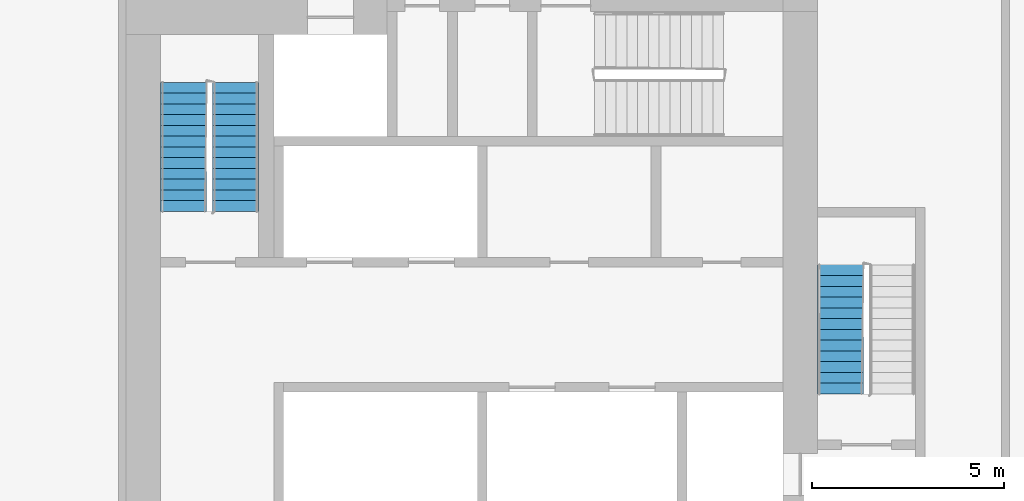
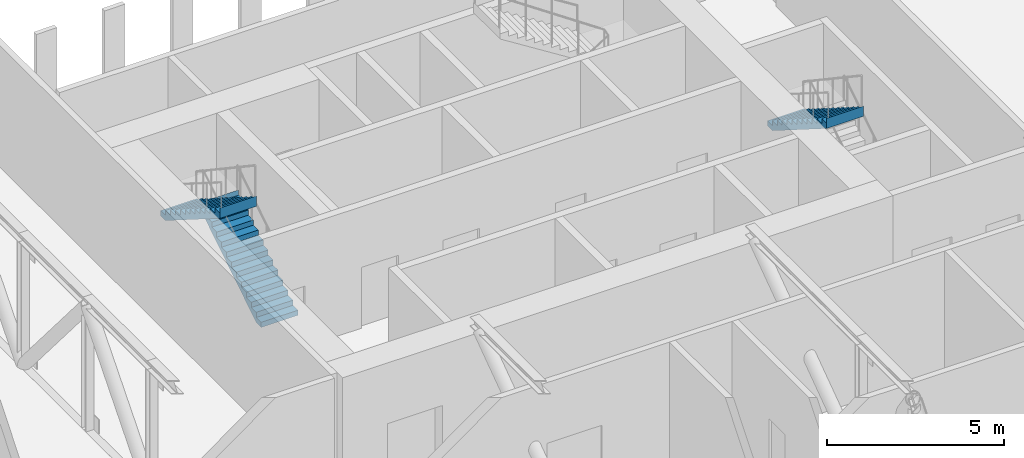
# One storey, part 23 of 26: 3 stair flights, 2 elements without a shape of their own.
"""IFC4 building model written with IfcOpenShell, lengths in metres."""

from ifc_helpers import new_model, si_unit, direction, frame, origin, place, context, subcontext, project, spatial, faceted_brep, material, type_object, element, aggregate, save


model = new_model("IFC4")

# Units and contexts
model_context = context("Model", 3, precision=1e-05, world=origin(), true_north=direction((0.0, 1.0)))
body_context = subcontext(model_context, "Body", "Model", "MODEL_VIEW")
ifc_project = project(units=[si_unit("LENGTHUNIT", "METRE"), si_unit("AREAUNIT", "SQUARE_METRE"), si_unit("VOLUMEUNIT", "CUBIC_METRE"), si_unit("PLANEANGLEUNIT", "RADIAN"), si_unit("MASSUNIT", "GRAM", prefix="KILO")], contexts=[model_context])

# Site, building, storey
site_placement = place(None, origin())
site = spatial("IfcSite", under=ifc_project, at=site_placement, CompositionType="ELEMENT")
building_placement = place(site_placement, origin())
building = spatial("IfcBuilding", under=site, at=building_placement, Name="Kajstack Hotel Tower", CompositionType="ELEMENT")
storey_placement = place(building_placement, frame((0.0, 0.0, 257.300048828125)))
storey = spatial("IfcBuildingStorey", under=building, at=storey_placement, Name="L64", CompositionType="ELEMENT", Elevation=257.300048828125)

# Stair, stair flight
ifc_material = material(Name="Concrete C40/50", Category="concrete")
stair_type = type_object("IfcStairType", Name="Exit stair 1200", PredefinedType="HALF_TURN_STAIR", material=ifc_material)
stair_1_placement = place(storey_placement, origin())
stair_1 = element("IfcStair", 1, at=stair_1_placement, inside=storey, type_object=stair_type, Name="L64 stair E1", PredefinedType="HALF_TURN_STAIR")
stair_flight_type = type_object("IfcStairFlightType", Name="Exit stair flight 1200", PredefinedType="STRAIGHT", material=ifc_material)
stair_flight_1_placement = place(storey_placement, frame((32.10009765625, 8.610107421875, 2.300048828125), z_axis=(0.0, 0.0, 1.0), x_axis=(0.0, -1.0, 0.0)))
stair_flight_1 = element("IfcStairFlight", 2, at=stair_flight_1_placement, type_object=stair_flight_type, Name="E1 flight 2", NumberOfRisers=13, NumberOfTreads=12, PredefinedType="STRAIGHT", RiserHeight=0.176923077, TreadLength=0.28, context=body_context, shape_type="Brep", body=[
    faceted_brep([(0.281005859375, -0.60009765625, 0.0), (3.360595703125, -0.60009765625, 1.94580078125), (3.360595703125, -0.60009765625, 2.300048828125), (3.360107421875, -0.60009765625, 2.300048828125), (3.360107421875, -0.60009765625, 2.123046875), (3.080078125, -0.60009765625, 2.123046875), (3.080078125, -0.60009765625, 1.946044921875), (2.800048828125, -0.60009765625, 1.946044921875), (2.800048828125, -0.60009765625, 1.769287109375), (2.52001953125, -0.60009765625, 1.769287109375), (2.52001953125, -0.60009765625, 1.59228515625), (2.239990234375, -0.60009765625, 1.59228515625), (2.239990234375, -0.60009765625, 1.415283203125), (1.9599609375, -0.60009765625, 1.415283203125), (1.9599609375, -0.60009765625, 1.238525390625), (1.679931640625, -0.60009765625, 1.238525390625), (1.679931640625, -0.60009765625, 1.0615234375), (1.39990234375, -0.60009765625, 1.0615234375), (1.39990234375, -0.60009765625, 0.884521484375), (1.1201171875, -0.60009765625, 0.884521484375), (1.1201171875, -0.60009765625, 0.707763671875), (0.840087890625, -0.60009765625, 0.707763671875), (0.840087890625, -0.60009765625, 0.53076171875), (0.56005859375, -0.60009765625, 0.53076171875), (0.56005859375, -0.60009765625, 0.353759765625), (0.280029296875, -0.60009765625, 0.353759765625), (0.280029296875, -0.60009765625, 0.177001953125), (-0.00048828125, -0.60009765625, 0.177001953125), (-0.00048828125, -0.60009765625, 0.0), (-0.00048828125, 0.60009765625, 0.0), (-0.00048828125, 0.60009765625, 0.177001953125), (0.280029296875, 0.60009765625, 0.177001953125), (0.280029296875, 0.60009765625, 0.353759765625), (0.56005859375, 0.60009765625, 0.353759765625), (0.56005859375, 0.60009765625, 0.53076171875), (0.840087890625, 0.60009765625, 0.53076171875), (0.840087890625, 0.60009765625, 0.707763671875), (1.1201171875, 0.60009765625, 0.707763671875), (1.1201171875, 0.60009765625, 0.884521484375), (1.39990234375, 0.60009765625, 0.884521484375), (1.39990234375, 0.60009765625, 1.0615234375), (1.679931640625, 0.60009765625, 1.0615234375), (1.679931640625, 0.60009765625, 1.238525390625), (1.9599609375, 0.60009765625, 1.238525390625), (1.9599609375, 0.60009765625, 1.415283203125), (2.239990234375, 0.60009765625, 1.415283203125), (2.239990234375, 0.60009765625, 1.59228515625), (2.52001953125, 0.60009765625, 1.59228515625), (2.52001953125, 0.60009765625, 1.769287109375), (2.800048828125, 0.60009765625, 1.769287109375), (2.800048828125, 0.60009765625, 1.946044921875), (3.080078125, 0.60009765625, 1.946044921875), (3.080078125, 0.60009765625, 2.123046875), (3.360107421875, 0.60009765625, 2.123046875), (3.360107421875, 0.60009765625, 2.300048828125), (3.360595703125, 0.60009765625, 2.300048828125), (3.360595703125, 0.60009765625, 1.94580078125), (0.281005859375, 0.60009765625, 0.0), (-0.00048828125, -0.300048828125, 0.177001953125), (-0.00048828125, 0.0, 0.177001953125), (-0.00048828125, 0.300048828125, 0.177001953125), (-0.00048828125, 0.300048828125, 0.0), (-0.00048828125, 0.0, 0.0), (-0.00048828125, -0.300048828125, 0.0), (0.280029296875, -0.300048828125, 0.177001953125), (0.280029296875, 0.0, 0.177001953125), (0.280029296875, 0.300048828125, 0.177001953125), (0.280029296875, -0.300048828125, 0.353759765625), (0.280029296875, 0.0, 0.353759765625), (0.280029296875, 0.300048828125, 0.353759765625), (0.56005859375, -0.300048828125, 0.353759765625), (0.56005859375, 0.0, 0.353759765625), (0.56005859375, 0.300048828125, 0.353759765625), (0.56005859375, -0.300048828125, 0.53076171875), (0.56005859375, 0.0, 0.53076171875), (0.56005859375, 0.300048828125, 0.53076171875), (0.840087890625, -0.300048828125, 0.53076171875), (0.840087890625, 0.0, 0.53076171875), (0.840087890625, 0.300048828125, 0.53076171875), (0.840087890625, -0.300048828125, 0.707763671875), (0.840087890625, 0.0, 0.707763671875), (0.840087890625, 0.300048828125, 0.707763671875), (1.1201171875, -0.300048828125, 0.707763671875), (1.1201171875, 0.0, 0.707763671875), (1.1201171875, 0.300048828125, 0.707763671875), (1.1201171875, -0.300048828125, 0.884521484375), (1.1201171875, 0.0, 0.884521484375), (1.1201171875, 0.300048828125, 0.884521484375), (1.39990234375, -0.300048828125, 0.884521484375), (1.39990234375, 0.0, 0.884521484375), (1.39990234375, 0.300048828125, 0.884521484375), (1.39990234375, -0.300048828125, 1.0615234375), (1.39990234375, 0.0, 1.0615234375), (1.39990234375, 0.300048828125, 1.0615234375), (1.679931640625, -0.300048828125, 1.0615234375), (1.679931640625, 0.0, 1.0615234375), (1.679931640625, 0.300048828125, 1.0615234375), (1.679931640625, -0.300048828125, 1.238525390625), (1.679931640625, 0.0, 1.238525390625), (1.679931640625, 0.300048828125, 1.238525390625), (1.9599609375, -0.300048828125, 1.238525390625), (1.9599609375, 0.0, 1.238525390625), (1.9599609375, 0.300048828125, 1.238525390625), (1.9599609375, -0.300048828125, 1.415283203125), (1.9599609375, 0.0, 1.415283203125), (1.9599609375, 0.300048828125, 1.415283203125), (2.239990234375, -0.300048828125, 1.415283203125), (2.239990234375, 0.0, 1.415283203125), (2.239990234375, 0.300048828125, 1.415283203125), (2.239990234375, -0.300048828125, 1.59228515625), (2.239990234375, 0.0, 1.59228515625), (2.239990234375, 0.300048828125, 1.59228515625), (2.52001953125, -0.300048828125, 1.59228515625), (2.52001953125, 0.0, 1.59228515625), (2.52001953125, 0.300048828125, 1.59228515625), (2.52001953125, -0.300048828125, 1.769287109375), (2.52001953125, 0.0, 1.769287109375), (2.52001953125, 0.300048828125, 1.769287109375), (2.800048828125, -0.300048828125, 1.769287109375), (2.800048828125, 0.0, 1.769287109375), (2.800048828125, 0.300048828125, 1.769287109375), (2.800048828125, -0.300048828125, 1.946044921875), (2.800048828125, 0.0, 1.946044921875), (2.800048828125, 0.300048828125, 1.946044921875), (3.080078125, -0.300048828125, 1.946044921875), (3.080078125, 0.0, 1.946044921875), (3.080078125, 0.300048828125, 1.946044921875), (3.080078125, -0.300048828125, 2.123046875), (3.080078125, 0.0, 2.123046875), (3.080078125, 0.300048828125, 2.123046875), (3.360107421875, -0.300048828125, 2.123046875), (3.360107421875, 0.0, 2.123046875), (3.360107421875, 0.300048828125, 2.123046875), (3.360107421875, -0.300048828125, 2.300048828125), (3.360107421875, 0.0, 2.300048828125), (3.360107421875, 0.300048828125, 2.300048828125), (3.360595703125, -0.300048828125, 2.300048828125), (3.360595703125, 0.0, 2.300048828125), (3.360595703125, 0.300048828125, 2.300048828125), (3.360595703125, -0.300048828125, 1.94580078125), (3.360595703125, 0.0, 1.94580078125), (3.360595703125, 0.300048828125, 1.94580078125), (0.281005859375, -0.300048828125, 0.0), (0.281005859375, 0.0, 0.0), (0.281005859375, 0.300048828125, 0.0)], [[[0, 1, 2, 3, 4, 5, 6, 7, 8, 9, 10, 11, 12, 13, 14, 15, 16, 17, 18, 19, 20, 21, 22, 23, 24, 25, 26, 27, 28]], [[29, 30, 31, 32, 33, 34, 35, 36, 37, 38, 39, 40, 41, 42, 43, 44, 45, 46, 47, 48, 49, 50, 51, 52, 53, 54, 55, 56, 57]], [[27, 58, 59, 60, 30, 29, 61, 62, 63, 28]], [[26, 64, 65, 66, 31, 30, 60, 59, 58, 27]], [[25, 67, 68, 69, 32, 31, 66, 65, 64, 26]], [[24, 70, 71, 72, 33, 32, 69, 68, 67, 25]], [[23, 73, 74, 75, 34, 33, 72, 71, 70, 24]], [[22, 76, 77, 78, 35, 34, 75, 74, 73, 23]], [[21, 79, 80, 81, 36, 35, 78, 77, 76, 22]], [[20, 82, 83, 84, 37, 36, 81, 80, 79, 21]], [[19, 85, 86, 87, 38, 37, 84, 83, 82, 20]], [[18, 88, 89, 90, 39, 38, 87, 86, 85, 19]], [[17, 91, 92, 93, 40, 39, 90, 89, 88, 18]], [[16, 94, 95, 96, 41, 40, 93, 92, 91, 17]], [[15, 97, 98, 99, 42, 41, 96, 95, 94, 16]], [[14, 100, 101, 102, 43, 42, 99, 98, 97, 15]], [[13, 103, 104, 105, 44, 43, 102, 101, 100, 14]], [[12, 106, 107, 108, 45, 44, 105, 104, 103, 13]], [[11, 109, 110, 111, 46, 45, 108, 107, 106, 12]], [[10, 112, 113, 114, 47, 46, 111, 110, 109, 11]], [[9, 115, 116, 117, 48, 47, 114, 113, 112, 10]], [[8, 118, 119, 120, 49, 48, 117, 116, 115, 9]], [[7, 121, 122, 123, 50, 49, 120, 119, 118, 8]], [[6, 124, 125, 126, 51, 50, 123, 122, 121, 7]], [[5, 127, 128, 129, 52, 51, 126, 125, 124, 6]], [[4, 130, 131, 132, 53, 52, 129, 128, 127, 5]], [[3, 133, 134, 135, 54, 53, 132, 131, 130, 4]], [[2, 136, 137, 138, 55, 54, 135, 134, 133, 3]], [[1, 139, 140, 141, 56, 55, 138, 137, 136, 2]], [[0, 142, 143, 144, 57, 56, 141, 140, 139, 1]], [[28, 63, 62, 61, 29, 57, 144, 143, 142, 0]]]),
])
aggregate(stair_1, [stair_flight_1])

# Stair, stair flights
stair_2_placement = place(storey_placement, origin())
stair_2 = element("IfcStair", 3, at=stair_2_placement, inside=storey, type_object=stair_type, Name="L64 stair E2", PredefinedType="HALF_TURN_STAIR")
stair_flight_2_placement = place(storey_placement, frame((16.35009765625, 10.0, 0.0), z_axis=(0.0, 0.0, 1.0), x_axis=(0.0, 1.0, 0.0)))
stair_flight_2 = element("IfcStairFlight", 4, at=stair_flight_2_placement, type_object=stair_flight_type, Name="E2 flight 1", NumberOfRisers=13, NumberOfTreads=12, PredefinedType="STRAIGHT", RiserHeight=0.176923077, TreadLength=0.28, context=body_context, shape_type="Brep", body=[
    faceted_brep([(0.281005859375, -0.60009765625, 0.0), (3.360595703125, -0.60009765625, 1.94580078125), (3.360595703125, -0.60009765625, 2.300048828125), (3.360107421875, -0.60009765625, 2.300048828125), (3.360107421875, -0.60009765625, 2.123046875), (3.080078125, -0.60009765625, 2.123046875), (3.080078125, -0.60009765625, 1.946044921875), (2.800048828125, -0.60009765625, 1.946044921875), (2.800048828125, -0.60009765625, 1.769287109375), (2.52001953125, -0.60009765625, 1.769287109375), (2.52001953125, -0.60009765625, 1.59228515625), (2.239990234375, -0.60009765625, 1.59228515625), (2.239990234375, -0.60009765625, 1.415283203125), (1.9599609375, -0.60009765625, 1.415283203125), (1.9599609375, -0.60009765625, 1.238525390625), (1.679931640625, -0.60009765625, 1.238525390625), (1.679931640625, -0.60009765625, 1.0615234375), (1.39990234375, -0.60009765625, 1.0615234375), (1.39990234375, -0.60009765625, 0.884521484375), (1.1201171875, -0.60009765625, 0.884521484375), (1.1201171875, -0.60009765625, 0.707763671875), (0.840087890625, -0.60009765625, 0.707763671875), (0.840087890625, -0.60009765625, 0.53076171875), (0.56005859375, -0.60009765625, 0.53076171875), (0.56005859375, -0.60009765625, 0.353759765625), (0.280029296875, -0.60009765625, 0.353759765625), (0.280029296875, -0.60009765625, 0.177001953125), (-0.00048828125, -0.60009765625, 0.177001953125), (-0.00048828125, -0.60009765625, 0.0), (-0.00048828125, 0.60009765625, 0.0), (-0.00048828125, 0.60009765625, 0.177001953125), (0.280029296875, 0.60009765625, 0.177001953125), (0.280029296875, 0.60009765625, 0.353759765625), (0.56005859375, 0.60009765625, 0.353759765625), (0.56005859375, 0.60009765625, 0.53076171875), (0.840087890625, 0.60009765625, 0.53076171875), (0.840087890625, 0.60009765625, 0.707763671875), (1.1201171875, 0.60009765625, 0.707763671875), (1.1201171875, 0.60009765625, 0.884521484375), (1.39990234375, 0.60009765625, 0.884521484375), (1.39990234375, 0.60009765625, 1.0615234375), (1.679931640625, 0.60009765625, 1.0615234375), (1.679931640625, 0.60009765625, 1.238525390625), (1.9599609375, 0.60009765625, 1.238525390625), (1.9599609375, 0.60009765625, 1.415283203125), (2.239990234375, 0.60009765625, 1.415283203125), (2.239990234375, 0.60009765625, 1.59228515625), (2.52001953125, 0.60009765625, 1.59228515625), (2.52001953125, 0.60009765625, 1.769287109375), (2.800048828125, 0.60009765625, 1.769287109375), (2.800048828125, 0.60009765625, 1.946044921875), (3.080078125, 0.60009765625, 1.946044921875), (3.080078125, 0.60009765625, 2.123046875), (3.360107421875, 0.60009765625, 2.123046875), (3.360107421875, 0.60009765625, 2.300048828125), (3.360595703125, 0.60009765625, 2.300048828125), (3.360595703125, 0.60009765625, 1.94580078125), (0.281005859375, 0.60009765625, 0.0), (-0.00048828125, -0.300048828125, 0.177001953125), (-0.00048828125, 0.0, 0.177001953125), (-0.00048828125, 0.300048828125, 0.177001953125), (-0.00048828125, 0.300048828125, 0.0), (-0.00048828125, 0.0, 0.0), (-0.00048828125, -0.300048828125, 0.0), (0.280029296875, -0.300048828125, 0.177001953125), (0.280029296875, 0.0, 0.177001953125), (0.280029296875, 0.300048828125, 0.177001953125), (0.280029296875, -0.300048828125, 0.353759765625), (0.280029296875, 0.0, 0.353759765625), (0.280029296875, 0.300048828125, 0.353759765625), (0.56005859375, -0.300048828125, 0.353759765625), (0.56005859375, 0.0, 0.353759765625), (0.56005859375, 0.300048828125, 0.353759765625), (0.56005859375, -0.300048828125, 0.53076171875), (0.56005859375, 0.0, 0.53076171875), (0.56005859375, 0.300048828125, 0.53076171875), (0.840087890625, -0.300048828125, 0.53076171875), (0.840087890625, 0.0, 0.53076171875), (0.840087890625, 0.300048828125, 0.53076171875), (0.840087890625, -0.300048828125, 0.707763671875), (0.840087890625, 0.0, 0.707763671875), (0.840087890625, 0.300048828125, 0.707763671875), (1.1201171875, -0.300048828125, 0.707763671875), (1.1201171875, 0.0, 0.707763671875), (1.1201171875, 0.300048828125, 0.707763671875), (1.1201171875, -0.300048828125, 0.884521484375), (1.1201171875, 0.0, 0.884521484375), (1.1201171875, 0.300048828125, 0.884521484375), (1.39990234375, -0.300048828125, 0.884521484375), (1.39990234375, 0.0, 0.884521484375), (1.39990234375, 0.300048828125, 0.884521484375), (1.39990234375, -0.300048828125, 1.0615234375), (1.39990234375, 0.0, 1.0615234375), (1.39990234375, 0.300048828125, 1.0615234375), (1.679931640625, -0.300048828125, 1.0615234375), (1.679931640625, 0.0, 1.0615234375), (1.679931640625, 0.300048828125, 1.0615234375), (1.679931640625, -0.300048828125, 1.238525390625), (1.679931640625, 0.0, 1.238525390625), (1.679931640625, 0.300048828125, 1.238525390625), (1.9599609375, -0.300048828125, 1.238525390625), (1.9599609375, 0.0, 1.238525390625), (1.9599609375, 0.300048828125, 1.238525390625), (1.9599609375, -0.300048828125, 1.415283203125), (1.9599609375, 0.0, 1.415283203125), (1.9599609375, 0.300048828125, 1.415283203125), (2.239990234375, -0.300048828125, 1.415283203125), (2.239990234375, 0.0, 1.415283203125), (2.239990234375, 0.300048828125, 1.415283203125), (2.239990234375, -0.300048828125, 1.59228515625), (2.239990234375, 0.0, 1.59228515625), (2.239990234375, 0.300048828125, 1.59228515625), (2.52001953125, -0.300048828125, 1.59228515625), (2.52001953125, 0.0, 1.59228515625), (2.52001953125, 0.300048828125, 1.59228515625), (2.52001953125, -0.300048828125, 1.769287109375), (2.52001953125, 0.0, 1.769287109375), (2.52001953125, 0.300048828125, 1.769287109375), (2.800048828125, -0.300048828125, 1.769287109375), (2.800048828125, 0.0, 1.769287109375), (2.800048828125, 0.300048828125, 1.769287109375), (2.800048828125, -0.300048828125, 1.946044921875), (2.800048828125, 0.0, 1.946044921875), (2.800048828125, 0.300048828125, 1.946044921875), (3.080078125, -0.300048828125, 1.946044921875), (3.080078125, 0.0, 1.946044921875), (3.080078125, 0.300048828125, 1.946044921875), (3.080078125, -0.300048828125, 2.123046875), (3.080078125, 0.0, 2.123046875), (3.080078125, 0.300048828125, 2.123046875), (3.360107421875, -0.300048828125, 2.123046875), (3.360107421875, 0.0, 2.123046875), (3.360107421875, 0.300048828125, 2.123046875), (3.360107421875, -0.300048828125, 2.300048828125), (3.360107421875, 0.0, 2.300048828125), (3.360107421875, 0.300048828125, 2.300048828125), (3.360595703125, -0.300048828125, 2.300048828125), (3.360595703125, 0.0, 2.300048828125), (3.360595703125, 0.300048828125, 2.300048828125), (3.360595703125, -0.300048828125, 1.94580078125), (3.360595703125, 0.0, 1.94580078125), (3.360595703125, 0.300048828125, 1.94580078125), (0.281005859375, -0.300048828125, 0.0), (0.281005859375, 0.0, 0.0), (0.281005859375, 0.300048828125, 0.0)], [[[0, 1, 2, 3, 4, 5, 6, 7, 8, 9, 10, 11, 12, 13, 14, 15, 16, 17, 18, 19, 20, 21, 22, 23, 24, 25, 26, 27, 28]], [[29, 30, 31, 32, 33, 34, 35, 36, 37, 38, 39, 40, 41, 42, 43, 44, 45, 46, 47, 48, 49, 50, 51, 52, 53, 54, 55, 56, 57]], [[27, 58, 59, 60, 30, 29, 61, 62, 63, 28]], [[26, 64, 65, 66, 31, 30, 60, 59, 58, 27]], [[25, 67, 68, 69, 32, 31, 66, 65, 64, 26]], [[24, 70, 71, 72, 33, 32, 69, 68, 67, 25]], [[23, 73, 74, 75, 34, 33, 72, 71, 70, 24]], [[22, 76, 77, 78, 35, 34, 75, 74, 73, 23]], [[21, 79, 80, 81, 36, 35, 78, 77, 76, 22]], [[20, 82, 83, 84, 37, 36, 81, 80, 79, 21]], [[19, 85, 86, 87, 38, 37, 84, 83, 82, 20]], [[18, 88, 89, 90, 39, 38, 87, 86, 85, 19]], [[17, 91, 92, 93, 40, 39, 90, 89, 88, 18]], [[16, 94, 95, 96, 41, 40, 93, 92, 91, 17]], [[15, 97, 98, 99, 42, 41, 96, 95, 94, 16]], [[14, 100, 101, 102, 43, 42, 99, 98, 97, 15]], [[13, 103, 104, 105, 44, 43, 102, 101, 100, 14]], [[12, 106, 107, 108, 45, 44, 105, 104, 103, 13]], [[11, 109, 110, 111, 46, 45, 108, 107, 106, 12]], [[10, 112, 113, 114, 47, 46, 111, 110, 109, 11]], [[9, 115, 116, 117, 48, 47, 114, 113, 112, 10]], [[8, 118, 119, 120, 49, 48, 117, 116, 115, 9]], [[7, 121, 122, 123, 50, 49, 120, 119, 118, 8]], [[6, 124, 125, 126, 51, 50, 123, 122, 121, 7]], [[5, 127, 128, 129, 52, 51, 126, 125, 124, 6]], [[4, 130, 131, 132, 53, 52, 129, 128, 127, 5]], [[3, 133, 134, 135, 54, 53, 132, 131, 130, 4]], [[2, 136, 137, 138, 55, 54, 135, 134, 133, 3]], [[1, 139, 140, 141, 56, 55, 138, 137, 136, 2]], [[0, 142, 143, 144, 57, 56, 141, 140, 139, 1]], [[28, 63, 62, 61, 29, 57, 144, 143, 142, 0]]]),
])
stair_flight_3_placement = place(storey_placement, frame((15.0, 13.360107421875, 2.300048828125), z_axis=(0.0, 0.0, 1.0), x_axis=(0.0, -1.0, 0.0)))
stair_flight_3 = element("IfcStairFlight", 5, at=stair_flight_3_placement, type_object=stair_flight_type, Name="E2 flight 2", NumberOfRisers=13, NumberOfTreads=12, PredefinedType="STRAIGHT", RiserHeight=0.176923077, TreadLength=0.28, context=body_context, shape_type="Brep", body=[
    faceted_brep([(0.281005859375, -0.60009765625, 0.0), (3.360595703125, -0.60009765625, 1.94580078125), (3.360595703125, -0.60009765625, 2.300048828125), (3.360107421875, -0.60009765625, 2.300048828125), (3.360107421875, -0.60009765625, 2.123046875), (3.080078125, -0.60009765625, 2.123046875), (3.080078125, -0.60009765625, 1.946044921875), (2.800048828125, -0.60009765625, 1.946044921875), (2.800048828125, -0.60009765625, 1.769287109375), (2.52001953125, -0.60009765625, 1.769287109375), (2.52001953125, -0.60009765625, 1.59228515625), (2.239990234375, -0.60009765625, 1.59228515625), (2.239990234375, -0.60009765625, 1.415283203125), (1.9599609375, -0.60009765625, 1.415283203125), (1.9599609375, -0.60009765625, 1.238525390625), (1.679931640625, -0.60009765625, 1.238525390625), (1.679931640625, -0.60009765625, 1.0615234375), (1.39990234375, -0.60009765625, 1.0615234375), (1.39990234375, -0.60009765625, 0.884521484375), (1.1201171875, -0.60009765625, 0.884521484375), (1.1201171875, -0.60009765625, 0.707763671875), (0.840087890625, -0.60009765625, 0.707763671875), (0.840087890625, -0.60009765625, 0.53076171875), (0.56005859375, -0.60009765625, 0.53076171875), (0.56005859375, -0.60009765625, 0.353759765625), (0.280029296875, -0.60009765625, 0.353759765625), (0.280029296875, -0.60009765625, 0.177001953125), (-0.00048828125, -0.60009765625, 0.177001953125), (-0.00048828125, -0.60009765625, 0.0), (-0.00048828125, 0.60009765625, 0.0), (-0.00048828125, 0.60009765625, 0.177001953125), (0.280029296875, 0.60009765625, 0.177001953125), (0.280029296875, 0.60009765625, 0.353759765625), (0.56005859375, 0.60009765625, 0.353759765625), (0.56005859375, 0.60009765625, 0.53076171875), (0.840087890625, 0.60009765625, 0.53076171875), (0.840087890625, 0.60009765625, 0.707763671875), (1.1201171875, 0.60009765625, 0.707763671875), (1.1201171875, 0.60009765625, 0.884521484375), (1.39990234375, 0.60009765625, 0.884521484375), (1.39990234375, 0.60009765625, 1.0615234375), (1.679931640625, 0.60009765625, 1.0615234375), (1.679931640625, 0.60009765625, 1.238525390625), (1.9599609375, 0.60009765625, 1.238525390625), (1.9599609375, 0.60009765625, 1.415283203125), (2.239990234375, 0.60009765625, 1.415283203125), (2.239990234375, 0.60009765625, 1.59228515625), (2.52001953125, 0.60009765625, 1.59228515625), (2.52001953125, 0.60009765625, 1.769287109375), (2.800048828125, 0.60009765625, 1.769287109375), (2.800048828125, 0.60009765625, 1.946044921875), (3.080078125, 0.60009765625, 1.946044921875), (3.080078125, 0.60009765625, 2.123046875), (3.360107421875, 0.60009765625, 2.123046875), (3.360107421875, 0.60009765625, 2.300048828125), (3.360595703125, 0.60009765625, 2.300048828125), (3.360595703125, 0.60009765625, 1.94580078125), (0.281005859375, 0.60009765625, 0.0), (-0.00048828125, -0.300048828125, 0.177001953125), (-0.00048828125, 0.0, 0.177001953125), (-0.00048828125, 0.300048828125, 0.177001953125), (-0.00048828125, 0.300048828125, 0.0), (-0.00048828125, 0.0, 0.0), (-0.00048828125, -0.300048828125, 0.0), (0.280029296875, -0.300048828125, 0.177001953125), (0.280029296875, 0.0, 0.177001953125), (0.280029296875, 0.300048828125, 0.177001953125), (0.280029296875, -0.300048828125, 0.353759765625), (0.280029296875, 0.0, 0.353759765625), (0.280029296875, 0.300048828125, 0.353759765625), (0.56005859375, -0.300048828125, 0.353759765625), (0.56005859375, 0.0, 0.353759765625), (0.56005859375, 0.300048828125, 0.353759765625), (0.56005859375, -0.300048828125, 0.53076171875), (0.56005859375, 0.0, 0.53076171875), (0.56005859375, 0.300048828125, 0.53076171875), (0.840087890625, -0.300048828125, 0.53076171875), (0.840087890625, 0.0, 0.53076171875), (0.840087890625, 0.300048828125, 0.53076171875), (0.840087890625, -0.300048828125, 0.707763671875), (0.840087890625, 0.0, 0.707763671875), (0.840087890625, 0.300048828125, 0.707763671875), (1.1201171875, -0.300048828125, 0.707763671875), (1.1201171875, 0.0, 0.707763671875), (1.1201171875, 0.300048828125, 0.707763671875), (1.1201171875, -0.300048828125, 0.884521484375), (1.1201171875, 0.0, 0.884521484375), (1.1201171875, 0.300048828125, 0.884521484375), (1.39990234375, -0.300048828125, 0.884521484375), (1.39990234375, 0.0, 0.884521484375), (1.39990234375, 0.300048828125, 0.884521484375), (1.39990234375, -0.300048828125, 1.0615234375), (1.39990234375, 0.0, 1.0615234375), (1.39990234375, 0.300048828125, 1.0615234375), (1.679931640625, -0.300048828125, 1.0615234375), (1.679931640625, 0.0, 1.0615234375), (1.679931640625, 0.300048828125, 1.0615234375), (1.679931640625, -0.300048828125, 1.238525390625), (1.679931640625, 0.0, 1.238525390625), (1.679931640625, 0.300048828125, 1.238525390625), (1.9599609375, -0.300048828125, 1.238525390625), (1.9599609375, 0.0, 1.238525390625), (1.9599609375, 0.300048828125, 1.238525390625), (1.9599609375, -0.300048828125, 1.415283203125), (1.9599609375, 0.0, 1.415283203125), (1.9599609375, 0.300048828125, 1.415283203125), (2.239990234375, -0.300048828125, 1.415283203125), (2.239990234375, 0.0, 1.415283203125), (2.239990234375, 0.300048828125, 1.415283203125), (2.239990234375, -0.300048828125, 1.59228515625), (2.239990234375, 0.0, 1.59228515625), (2.239990234375, 0.300048828125, 1.59228515625), (2.52001953125, -0.300048828125, 1.59228515625), (2.52001953125, 0.0, 1.59228515625), (2.52001953125, 0.300048828125, 1.59228515625), (2.52001953125, -0.300048828125, 1.769287109375), (2.52001953125, 0.0, 1.769287109375), (2.52001953125, 0.300048828125, 1.769287109375), (2.800048828125, -0.300048828125, 1.769287109375), (2.800048828125, 0.0, 1.769287109375), (2.800048828125, 0.300048828125, 1.769287109375), (2.800048828125, -0.300048828125, 1.946044921875), (2.800048828125, 0.0, 1.946044921875), (2.800048828125, 0.300048828125, 1.946044921875), (3.080078125, -0.300048828125, 1.946044921875), (3.080078125, 0.0, 1.946044921875), (3.080078125, 0.300048828125, 1.946044921875), (3.080078125, -0.300048828125, 2.123046875), (3.080078125, 0.0, 2.123046875), (3.080078125, 0.300048828125, 2.123046875), (3.360107421875, -0.300048828125, 2.123046875), (3.360107421875, 0.0, 2.123046875), (3.360107421875, 0.300048828125, 2.123046875), (3.360107421875, -0.300048828125, 2.300048828125), (3.360107421875, 0.0, 2.300048828125), (3.360107421875, 0.300048828125, 2.300048828125), (3.360595703125, -0.300048828125, 2.300048828125), (3.360595703125, 0.0, 2.300048828125), (3.360595703125, 0.300048828125, 2.300048828125), (3.360595703125, -0.300048828125, 1.94580078125), (3.360595703125, 0.0, 1.94580078125), (3.360595703125, 0.300048828125, 1.94580078125), (0.281005859375, -0.300048828125, 0.0), (0.281005859375, 0.0, 0.0), (0.281005859375, 0.300048828125, 0.0)], [[[0, 1, 2, 3, 4, 5, 6, 7, 8, 9, 10, 11, 12, 13, 14, 15, 16, 17, 18, 19, 20, 21, 22, 23, 24, 25, 26, 27, 28]], [[29, 30, 31, 32, 33, 34, 35, 36, 37, 38, 39, 40, 41, 42, 43, 44, 45, 46, 47, 48, 49, 50, 51, 52, 53, 54, 55, 56, 57]], [[27, 58, 59, 60, 30, 29, 61, 62, 63, 28]], [[26, 64, 65, 66, 31, 30, 60, 59, 58, 27]], [[25, 67, 68, 69, 32, 31, 66, 65, 64, 26]], [[24, 70, 71, 72, 33, 32, 69, 68, 67, 25]], [[23, 73, 74, 75, 34, 33, 72, 71, 70, 24]], [[22, 76, 77, 78, 35, 34, 75, 74, 73, 23]], [[21, 79, 80, 81, 36, 35, 78, 77, 76, 22]], [[20, 82, 83, 84, 37, 36, 81, 80, 79, 21]], [[19, 85, 86, 87, 38, 37, 84, 83, 82, 20]], [[18, 88, 89, 90, 39, 38, 87, 86, 85, 19]], [[17, 91, 92, 93, 40, 39, 90, 89, 88, 18]], [[16, 94, 95, 96, 41, 40, 93, 92, 91, 17]], [[15, 97, 98, 99, 42, 41, 96, 95, 94, 16]], [[14, 100, 101, 102, 43, 42, 99, 98, 97, 15]], [[13, 103, 104, 105, 44, 43, 102, 101, 100, 14]], [[12, 106, 107, 108, 45, 44, 105, 104, 103, 13]], [[11, 109, 110, 111, 46, 45, 108, 107, 106, 12]], [[10, 112, 113, 114, 47, 46, 111, 110, 109, 11]], [[9, 115, 116, 117, 48, 47, 114, 113, 112, 10]], [[8, 118, 119, 120, 49, 48, 117, 116, 115, 9]], [[7, 121, 122, 123, 50, 49, 120, 119, 118, 8]], [[6, 124, 125, 126, 51, 50, 123, 122, 121, 7]], [[5, 127, 128, 129, 52, 51, 126, 125, 124, 6]], [[4, 130, 131, 132, 53, 52, 129, 128, 127, 5]], [[3, 133, 134, 135, 54, 53, 132, 131, 130, 4]], [[2, 136, 137, 138, 55, 54, 135, 134, 133, 3]], [[1, 139, 140, 141, 56, 55, 138, 137, 136, 2]], [[0, 142, 143, 144, 57, 56, 141, 140, 139, 1]], [[28, 63, 62, 61, 29, 57, 144, 143, 142, 0]]]),
])
aggregate(stair_2, [stair_flight_2, stair_flight_3])

save(model, "model.ifc")
